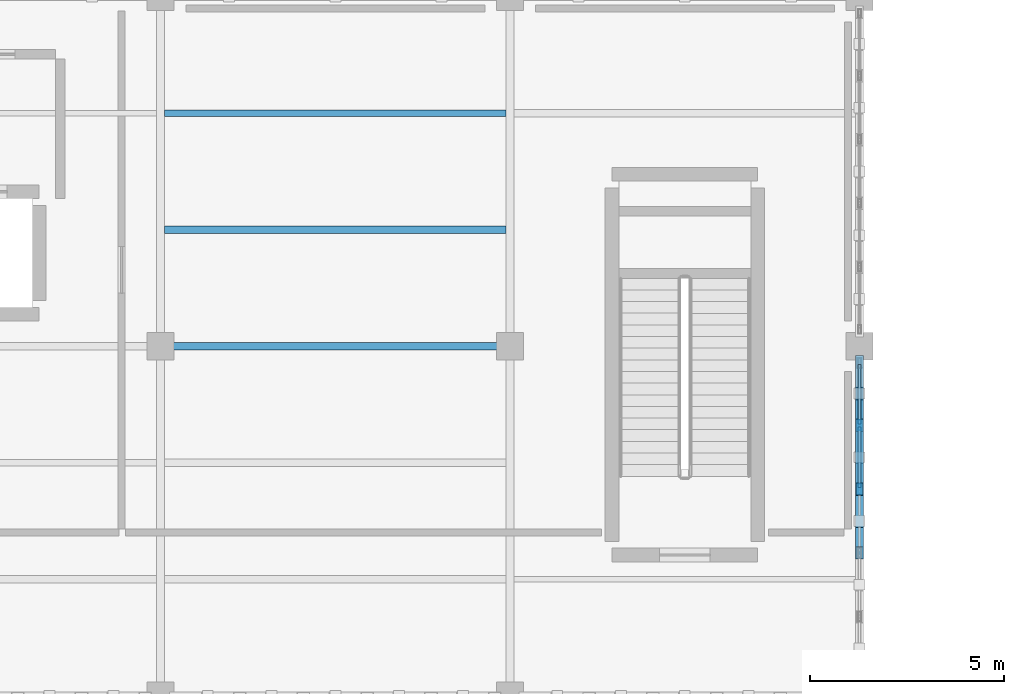
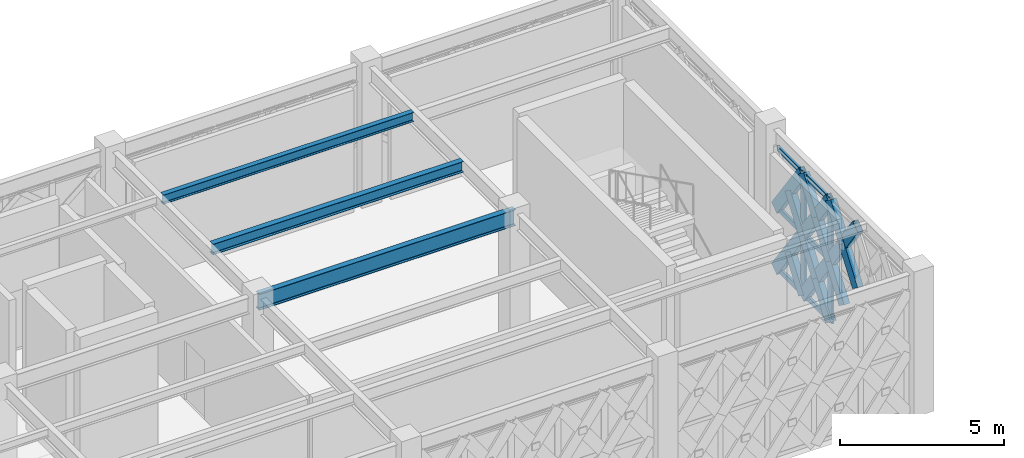
# One storey, part 12 of 72: 22 members, 3 beams, 1 element without a shape of its own.
"""IFC4 building model written with IfcOpenShell, lengths in metres."""

from ifc_helpers import new_model, si_unit, direction, frame, origin, origin_2d, place, context, subcontext, project, spatial, hollow_rectangle, i_section, extrude, material, material_profile, profile_set, type_object, element, aggregate, save


model = new_model("IFC4")

# Units and contexts
model_context = context("Model", 3, precision=1e-05, world=origin(), true_north=direction((0.0, 1.0)))
body_context = subcontext(model_context, "Body", "Model", "MODEL_VIEW")
ifc_project = project(units=[si_unit("LENGTHUNIT", "METRE"), si_unit("AREAUNIT", "SQUARE_METRE"), si_unit("VOLUMEUNIT", "CUBIC_METRE"), si_unit("PLANEANGLEUNIT", "RADIAN"), si_unit("MASSUNIT", "GRAM", prefix="KILO")], contexts=[model_context])

# Site, building, storey
site_placement = place(None, origin())
site = spatial("IfcSite", under=ifc_project, at=site_placement, CompositionType="ELEMENT")
building_placement = place(site_placement, origin())
building = spatial("IfcBuilding", under=site, at=building_placement, Name="Haizhuo Lancet Aquarium", CompositionType="ELEMENT")
storey_placement = place(building_placement, frame((0.0, 0.0, 21.60009765625)))
storey = spatial("IfcBuildingStorey", under=building, at=storey_placement, Name="L04", CompositionType="ELEMENT", Elevation=21.60009765625)

# Beam
ifc_material_1 = material(Name="Steel S355", Category="steel")
ifc_material_profile_1 = material_profile(ifc_material_1, i_section(OverallWidth=0.199951171875, OverallDepth=0.60009765625, WebThickness=0.010986328125, FlangeThickness=0.01708984375, FilletRadius=0.02197265625, at=origin_2d()), Name="HN 600x200x11x17")
ifc_profile_set_1 = profile_set([ifc_material_profile_1], Name="Steel S355")
beam_type_1 = type_object("IfcBeamType", Name="BM-ST-HN600", PredefinedType="BEAM", material=ifc_profile_set_1)
beam_1_placement = place(storey_placement, frame((-54.0, -18.0, 4.849853515625), z_axis=(1.0, 0.0, 0.0), x_axis=(0.0, 1.0, 0.0)))
element("IfcBeam", 1, at=beam_1_placement, inside=storey, type_object=beam_type_1, Name="L04 V6 primary girder BM-L04-V6-017", PredefinedType="BEAM", context=body_context, shape_type="SweptSolid", body=[
    extrude(i_section(OverallWidth=0.199951171875, OverallDepth=0.60009765625, WebThickness=0.010986328125, FlangeThickness=0.01708984375, FilletRadius=0.02197265625, at=origin_2d()), origin(), (0.0, 0.0, 1.0), 9.0),
])

# Curtain wall, members
ifc_material_2 = material(Name="Aluminium 6063-T6", Category="aluminium")
curtain_wall_type = type_object("IfcCurtainWallType", Name="CWD-8210x4550", PredefinedType="NOTDEFINED", material=ifc_material_2)
curtain_wall_placement = place(storey_placement, origin())
curtain_wall = element("IfcCurtainWall", 2, at=curtain_wall_placement, inside=storey, type_object=curtain_wall_type, Name="L04 curtain wall CW-V6-L04-252", PredefinedType="NOTDEFINED")
ifc_material_profile_2 = material_profile(ifc_material_2, hollow_rectangle(XDim=0.080078125, YDim=0.260009765625, WallThickness=0.0048828125, at=origin_2d()), Name="ALU-M 80x260x5")
ifc_profile_set_2 = profile_set([ifc_material_profile_2], Name="Aluminium 6063-T6")
member_type_1 = type_object("IfcMemberType", Name="CW-MUL-3", PredefinedType="MULLION", material=ifc_profile_set_2)
member_1_placement = place(storey_placement, frame((-36.0, -20.037109375, 0.0), z_axis=(0.0, 0.0, 1.0), x_axis=(1.0, 0.0, 0.0)))
member_1 = element("IfcMember", 3, at=member_1_placement, type_object=member_type_1, Name="CWD-82x45 mullion 2", PredefinedType="MULLION", context=body_context, shape_type="SweptSolid", body=[
    extrude(hollow_rectangle(XDim=0.080078125, YDim=0.260009765625, WallThickness=0.0048828125, at=origin_2d()), origin(), (0.0, 0.0, 1.0), 4.5498046875),
])
member_2_placement = place(storey_placement, frame((-36.0, -21.678955078125, 0.0), z_axis=(0.0, 0.0, 1.0), x_axis=(1.0, 0.0, 0.0)))
member_2 = element("IfcMember", 4, at=member_2_placement, type_object=member_type_1, Name="CWD-82x45 mullion 3", PredefinedType="MULLION", context=body_context, shape_type="SweptSolid", body=[
    extrude(hollow_rectangle(XDim=0.080078125, YDim=0.260009765625, WallThickness=0.0048828125, at=origin_2d()), origin(), (0.0, 0.0, 1.0), 4.5498046875),
])
ifc_material_profile_3 = material_profile(ifc_material_2, hollow_rectangle(XDim=0.080078125, YDim=0.18994140625, WallThickness=0.0048828125, at=origin_2d()), Name="ALU-T 80x190x5")
ifc_profile_set_3 = profile_set([ifc_material_profile_3], Name="Aluminium 6063-T6")
member_type_2 = type_object("IfcMemberType", Name="CW-TRN-3", PredefinedType="NOTDEFINED", material=ifc_profile_set_3)
member_3_placement = place(storey_placement, frame((-36.0, -18.47509765625, 0.039794921875), z_axis=(0.0, -1.0, 0.0), x_axis=(1.0, 0.0, 0.0)))
member_3 = element("IfcMember", 5, at=member_3_placement, type_object=member_type_2, Name="CWD-82x45 transom 1.1", ObjectType="TRANSOM", PredefinedType="USERDEFINED", context=body_context, shape_type="SweptSolid", body=[
    extrude(hollow_rectangle(XDim=0.080078125, YDim=0.18994140625, WallThickness=0.0048828125, at=origin_2d()), origin(), (0.0, 0.0, 1.0), 1.52197265625),
])
member_4_placement = place(storey_placement, frame((-36.0, -18.47509765625, 2.27490234375), z_axis=(0.0, -1.0, 0.0), x_axis=(1.0, 0.0, 0.0)))
member_4 = element("IfcMember", 6, at=member_4_placement, type_object=member_type_2, Name="CWD-82x45 transom 1.2", ObjectType="TRANSOM", PredefinedType="USERDEFINED", context=body_context, shape_type="SweptSolid", body=[
    extrude(hollow_rectangle(XDim=0.080078125, YDim=0.18994140625, WallThickness=0.0048828125, at=origin_2d()), origin(), (0.0, 0.0, 1.0), 1.52197265625),
])
member_5_placement = place(storey_placement, frame((-36.0, -18.47509765625, 4.510009765625), z_axis=(0.0, -1.0, 0.0), x_axis=(1.0, 0.0, 0.0)))
member_5 = element("IfcMember", 7, at=member_5_placement, type_object=member_type_2, Name="CWD-82x45 transom 1.3", ObjectType="TRANSOM", PredefinedType="USERDEFINED", context=body_context, shape_type="SweptSolid", body=[
    extrude(hollow_rectangle(XDim=0.080078125, YDim=0.18994140625, WallThickness=0.0048828125, at=origin_2d()), origin(), (0.0, 0.0, 1.0), 1.52197265625),
])
member_6_placement = place(storey_placement, frame((-36.0, -20.076904296875, 0.039794921875), z_axis=(0.0, -1.0, 0.0), x_axis=(1.0, 0.0, 0.0)))
member_6 = element("IfcMember", 8, at=member_6_placement, type_object=member_type_2, Name="CWD-82x45 transom 2.1", ObjectType="TRANSOM", PredefinedType="USERDEFINED", context=body_context, shape_type="SweptSolid", body=[
    extrude(hollow_rectangle(XDim=0.080078125, YDim=0.18994140625, WallThickness=0.0048828125, at=origin_2d()), origin(), (0.0, 0.0, 1.0), 1.56201171875),
])
member_7_placement = place(storey_placement, frame((-36.0, -20.076904296875, 2.27490234375), z_axis=(0.0, -1.0, 0.0), x_axis=(1.0, 0.0, 0.0)))
member_7 = element("IfcMember", 9, at=member_7_placement, type_object=member_type_2, Name="CWD-82x45 transom 2.2", ObjectType="TRANSOM", PredefinedType="USERDEFINED", context=body_context, shape_type="SweptSolid", body=[
    extrude(hollow_rectangle(XDim=0.080078125, YDim=0.18994140625, WallThickness=0.0048828125, at=origin_2d()), origin(), (0.0, 0.0, 1.0), 1.56201171875),
])
member_8_placement = place(storey_placement, frame((-36.0, -20.076904296875, 4.510009765625), z_axis=(0.0, -1.0, 0.0), x_axis=(1.0, 0.0, 0.0)))
member_8 = element("IfcMember", 10, at=member_8_placement, type_object=member_type_2, Name="CWD-82x45 transom 2.3", ObjectType="TRANSOM", PredefinedType="USERDEFINED", context=body_context, shape_type="SweptSolid", body=[
    extrude(hollow_rectangle(XDim=0.080078125, YDim=0.18994140625, WallThickness=0.0048828125, at=origin_2d()), origin(), (0.0, 0.0, 1.0), 1.56201171875),
])
aggregate(curtain_wall, [member_1, member_2, member_3, member_4, member_5, member_6, member_7, member_8])

# Beams
ifc_material_profile_4 = material_profile(ifc_material_1, i_section(OverallWidth=0.175048828125, OverallDepth=0.35009765625, WebThickness=0.007080078125, FlangeThickness=0.010986328125, FilletRadius=0.013916015625, at=origin_2d()), Name="HN 350x175x7x11")
ifc_profile_set_4 = profile_set([ifc_material_profile_4], Name="Steel S355")
beam_type_2 = type_object("IfcBeamType", Name="JST-ST-HN350", PredefinedType="JOIST", material=ifc_profile_set_4)
beam_2_placement = place(storey_placement, frame((-53.89990234375, -12.0, 4.974853515625), z_axis=(1.0, 0.0, 0.0), x_axis=(0.0, 1.0, 0.0)))
element("IfcBeam", 11, at=beam_2_placement, inside=storey, type_object=beam_type_2, Name="L04 V6 secondary floor joist 13", PredefinedType="JOIST", context=body_context, shape_type="SweptSolid", body=[
    extrude(i_section(OverallWidth=0.175048828125, OverallDepth=0.35009765625, WebThickness=0.007080078125, FlangeThickness=0.010986328125, FilletRadius=0.013916015625, at=origin_2d()), origin(), (0.0, 0.0, 1.0), 8.7998046875),
])
ifc_material_profile_5 = material_profile(ifc_material_1, i_section(OverallWidth=0.199951171875, OverallDepth=0.39990234375, WebThickness=0.008056640625, FlangeThickness=0.012939453125, FilletRadius=0.01611328125, at=origin_2d()), Name="HN 400x200x8x13")
ifc_profile_set_5 = profile_set([ifc_material_profile_5], Name="Steel S355")
beam_type_3 = type_object("IfcBeamType", Name="JST-ST-HN400", PredefinedType="JOIST", material=ifc_profile_set_5)
beam_3_placement = place(storey_placement, frame((-53.89990234375, -15.0, 4.949951171875), z_axis=(1.0, 0.0, 0.0), x_axis=(0.0, 1.0, 0.0)))
element("IfcBeam", 12, at=beam_3_placement, inside=storey, type_object=beam_type_3, Name="L04 V6 secondary floor joist 12", PredefinedType="JOIST", context=body_context, shape_type="SweptSolid", body=[
    extrude(i_section(OverallWidth=0.199951171875, OverallDepth=0.39990234375, WebThickness=0.008056640625, FlangeThickness=0.012939453125, FilletRadius=0.01611328125, at=origin_2d()), origin(), (0.0, 0.0, 1.0), 8.7998046875),
])

# Members
ifc_material_profile_6 = material_profile(ifc_material_1, hollow_rectangle(XDim=0.199951171875, YDim=0.39990234375, WallThickness=0.011962890625, at=origin_2d()), Name="RHS 200x400x12")
ifc_profile_set_6 = profile_set([ifc_material_profile_6], Name="Steel S355")
member_type_3 = type_object("IfcMemberType", Name="MEM-LB-RHS200x400", PredefinedType="BRACE", material=ifc_profile_set_6)
member_9_placement = place(storey_placement, frame((-36.0, -18.39501953125, 0.0), z_axis=(0.0, -0.585280844621, 0.810830643797), x_axis=(1.0, 0.0, 0.0)))
element("IfcMember", 13, at=member_9_placement, inside=storey, type_object=member_type_3, Name="Gothic lancet continuous diagonal brace CW-V6-L04-252 1A", PredefinedType="BRACE", context=body_context, shape_type="SweptSolid", body=[
    extrude(hollow_rectangle(XDim=0.199951171875, YDim=0.39990234375, WallThickness=0.011962890625, at=origin_2d()), origin(), (0.0, 0.0, 1.0), 2.8056640625),
])
member_10_placement = place(storey_placement, frame((-36.0, -20.037109375, 0.0), z_axis=(0.0, 0.585115697402, 0.810949826224), x_axis=(-1.0, 0.0, 0.0)))
element("IfcMember", 14, at=member_10_placement, inside=storey, type_object=member_type_3, Name="Gothic lancet split diagonal brace CW-V6-L04-252 1B1", PredefinedType="BRACE", context=body_context, shape_type="SweptSolid", body=[
    extrude(hollow_rectangle(XDim=0.199951171875, YDim=0.39990234375, WallThickness=0.011962890625, at=origin_2d()), origin(), (0.0, 0.0, 1.0), 1.4033203125),
])
member_11_placement = place(storey_placement, frame((-36.0, -18.39501953125, 2.27490234375), z_axis=(0.0, -0.585280844621, 0.810830643797), x_axis=(1.0, 0.0, 0.0)))
element("IfcMember", 15, at=member_11_placement, inside=storey, type_object=member_type_3, Name="Gothic lancet continuous diagonal brace CW-V6-L04-252 2A", PredefinedType="BRACE", context=body_context, shape_type="SweptSolid", body=[
    extrude(hollow_rectangle(XDim=0.199951171875, YDim=0.39990234375, WallThickness=0.011962890625, at=origin_2d()), origin(), (0.0, 0.0, 1.0), 2.8056640625),
])
member_12_placement = place(storey_placement, frame((-36.0, -20.037109375, 2.27490234375), z_axis=(0.0, 0.585446060787, 0.810711360417), x_axis=(-1.0, 0.0, 0.0)))
element("IfcMember", 16, at=member_12_placement, inside=storey, type_object=member_type_3, Name="Gothic lancet split diagonal brace CW-V6-L04-252 2B1", PredefinedType="BRACE", context=body_context, shape_type="SweptSolid", body=[
    extrude(hollow_rectangle(XDim=0.199951171875, YDim=0.39990234375, WallThickness=0.011962890625, at=origin_2d()), origin(), (0.0, 0.0, 1.0), 1.40234375),
])
member_13_placement = place(storey_placement, frame((-36.0, -20.037109375, 0.0), z_axis=(0.0, -0.585223630803, 0.810871939304), x_axis=(1.0, 0.0, 0.0)))
element("IfcMember", 17, at=member_13_placement, inside=storey, type_object=member_type_3, Name="Gothic lancet continuous diagonal brace CW-V6-L04-252 3A", PredefinedType="BRACE", context=body_context, shape_type="SweptSolid", body=[
    extrude(hollow_rectangle(XDim=0.199951171875, YDim=0.39990234375, WallThickness=0.011962890625, at=origin_2d()), origin(), (0.0, 0.0, 1.0), 2.805419921875),
])
member_14_placement = place(storey_placement, frame((-36.0, -21.678955078125, 0.0), z_axis=(0.0, 0.585115697402, 0.810949826224), x_axis=(-1.0, 0.0, 0.0)))
element("IfcMember", 18, at=member_14_placement, inside=storey, type_object=member_type_3, Name="Gothic lancet split diagonal brace CW-V6-L04-252 3B1", PredefinedType="BRACE", context=body_context, shape_type="SweptSolid", body=[
    extrude(hollow_rectangle(XDim=0.199951171875, YDim=0.39990234375, WallThickness=0.011962890625, at=origin_2d()), origin(), (0.0, 0.0, 1.0), 1.4033203125),
])
member_15_placement = place(storey_placement, frame((-36.0, -20.85791015625, 1.137939453125), z_axis=(0.0, 0.585331625772, 0.810793986085), x_axis=(-1.0, 0.0, 0.0)))
element("IfcMember", 19, at=member_15_placement, inside=storey, type_object=member_type_3, Name="Gothic lancet split diagonal brace CW-V6-L04-252 3B2", PredefinedType="BRACE", context=body_context, shape_type="SweptSolid", body=[
    extrude(hollow_rectangle(XDim=0.199951171875, YDim=0.39990234375, WallThickness=0.011962890625, at=origin_2d()), origin(), (0.0, 0.0, 1.0), 1.40234375),
])
member_16_placement = place(storey_placement, frame((-36.0, -20.037109375, 2.27490234375), z_axis=(0.0, -0.585223630803, 0.810871939304), x_axis=(1.0, 0.0, 0.0)))
element("IfcMember", 20, at=member_16_placement, inside=storey, type_object=member_type_3, Name="Gothic lancet continuous diagonal brace CW-V6-L04-252 4A", PredefinedType="BRACE", context=body_context, shape_type="SweptSolid", body=[
    extrude(hollow_rectangle(XDim=0.199951171875, YDim=0.39990234375, WallThickness=0.011962890625, at=origin_2d()), origin(), (0.0, 0.0, 1.0), 2.805419921875),
])
member_17_placement = place(storey_placement, frame((-36.0, -21.678955078125, 2.27490234375), z_axis=(0.0, 0.585446060787, 0.810711360417), x_axis=(-1.0, 0.0, 0.0)))
element("IfcMember", 21, at=member_17_placement, inside=storey, type_object=member_type_3, Name="Gothic lancet split diagonal brace CW-V6-L04-252 4B1", PredefinedType="BRACE", context=body_context, shape_type="SweptSolid", body=[
    extrude(hollow_rectangle(XDim=0.199951171875, YDim=0.39990234375, WallThickness=0.011962890625, at=origin_2d()), origin(), (0.0, 0.0, 1.0), 1.40234375),
])
member_18_placement = place(storey_placement, frame((-36.0, -20.85791015625, 3.411865234375), z_axis=(0.0, 0.585001259689, 0.81103238293), x_axis=(-1.0, 0.0, 0.0)))
element("IfcMember", 22, at=member_18_placement, inside=storey, type_object=member_type_3, Name="Gothic lancet split diagonal brace CW-V6-L04-252 4B2", PredefinedType="BRACE", context=body_context, shape_type="SweptSolid", body=[
    extrude(hollow_rectangle(XDim=0.199951171875, YDim=0.39990234375, WallThickness=0.011962890625, at=origin_2d()), origin(), (0.0, 0.0, 1.0), 1.403076171875),
])
member_19_placement = place(storey_placement, frame((-36.0, -22.5, 1.137939453125), z_axis=(0.0, 0.585446060787, 0.810711360417), x_axis=(-1.0, 0.0, 0.0)))
element("IfcMember", 23, at=member_19_placement, inside=storey, type_object=member_type_3, Name="Gothic lancet split diagonal brace CW-V6-L04-252 5B2", PredefinedType="BRACE", context=body_context, shape_type="SweptSolid", body=[
    extrude(hollow_rectangle(XDim=0.199951171875, YDim=0.39990234375, WallThickness=0.011962890625, at=origin_2d()), origin(), (0.0, 0.0, 1.0), 1.40234375),
])
member_20_placement = place(storey_placement, frame((-36.0, -21.678955078125, 2.27490234375), z_axis=(0.0, -0.585280844621, 0.810830643797), x_axis=(1.0, 0.0, 0.0)))
element("IfcMember", 24, at=member_20_placement, inside=storey, type_object=member_type_3, Name="Gothic lancet continuous diagonal brace CW-V6-L04-252 6A", PredefinedType="BRACE", context=body_context, shape_type="SweptSolid", body=[
    extrude(hollow_rectangle(XDim=0.199951171875, YDim=0.39990234375, WallThickness=0.011962890625, at=origin_2d()), origin(), (0.0, 0.0, 1.0), 2.8056640625),
])
member_21_placement = place(storey_placement, frame((-36.0, -23.321044921875, 2.27490234375), z_axis=(0.0, 0.585446060787, 0.810711360417), x_axis=(-1.0, 0.0, 0.0)))
element("IfcMember", 25, at=member_21_placement, inside=storey, type_object=member_type_3, Name="Gothic lancet split diagonal brace CW-V6-L04-252 6B1", PredefinedType="BRACE", context=body_context, shape_type="SweptSolid", body=[
    extrude(hollow_rectangle(XDim=0.199951171875, YDim=0.39990234375, WallThickness=0.011962890625, at=origin_2d()), origin(), (0.0, 0.0, 1.0), 1.40234375),
])
member_22_placement = place(storey_placement, frame((-36.0, -22.5, 3.411865234375), z_axis=(0.0, 0.585115697402, 0.810949826224), x_axis=(-1.0, 0.0, 0.0)))
element("IfcMember", 26, at=member_22_placement, inside=storey, type_object=member_type_3, Name="Gothic lancet split diagonal brace CW-V6-L04-252 6B2", PredefinedType="BRACE", context=body_context, shape_type="SweptSolid", body=[
    extrude(hollow_rectangle(XDim=0.199951171875, YDim=0.39990234375, WallThickness=0.011962890625, at=origin_2d()), origin(), (0.0, 0.0, 1.0), 1.4033203125),
])

save(model, "model.ifc")
